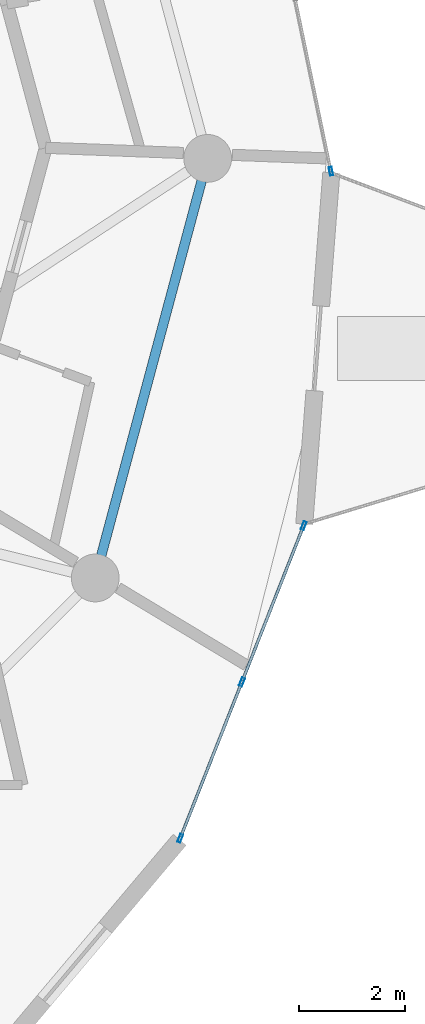
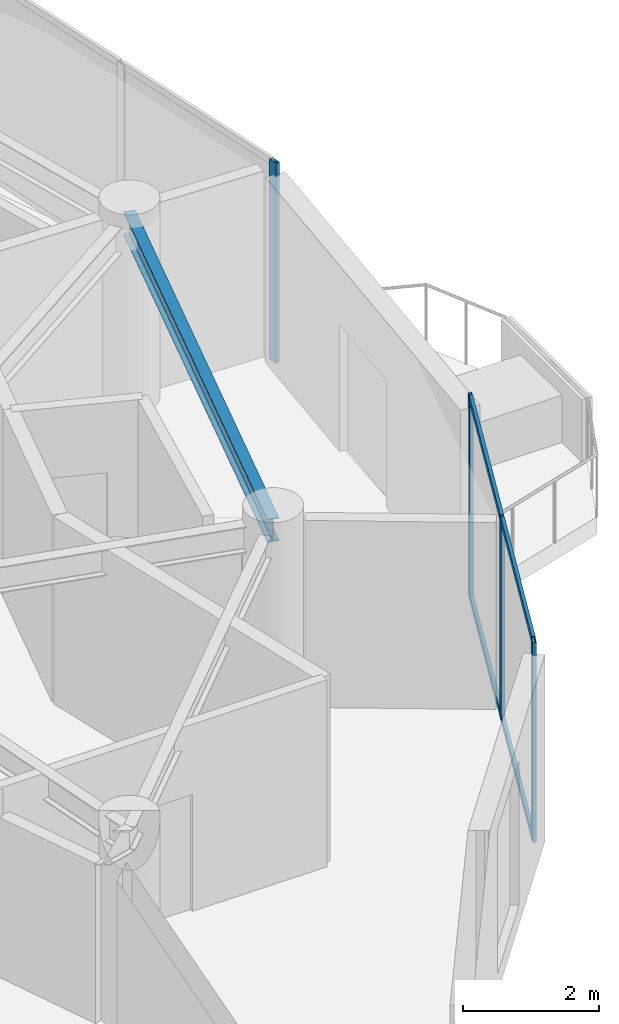
# One storey, part 11 of 21: 8 members, 1 beam, 2 elements without a shape of their own.
"""IFC4 building model written with IfcOpenShell, lengths in metres."""

from ifc_helpers import new_model, si_unit, direction, frame, origin, origin_2d, place, context, subcontext, project, spatial, hollow_rectangle, i_section, extrude, source, transform, mapped, material, layer, layer_set, material_profile, profile_set, type_object, element, aggregate, save


model = new_model("IFC4")

# Units and contexts
model_context = context("Model", 3, precision=1e-05, world=origin(), true_north=direction((0.0, 1.0)))
body_context = subcontext(model_context, "Body", "Model", "MODEL_VIEW")
ifc_project = project(units=[si_unit("LENGTHUNIT", "METRE"), si_unit("AREAUNIT", "SQUARE_METRE"), si_unit("VOLUMEUNIT", "CUBIC_METRE"), si_unit("PLANEANGLEUNIT", "RADIAN"), si_unit("MASSUNIT", "GRAM", prefix="KILO")], contexts=[model_context])

# Site, building, storey
site_placement = place(None, origin())
site = spatial("IfcSite", under=ifc_project, at=site_placement, CompositionType="ELEMENT")
building_placement = place(site_placement, origin())
building = spatial("IfcBuilding", under=site, at=building_placement, Name="Solvirekh Grand Hotel", CompositionType="ELEMENT")
storey_placement = place(building_placement, frame((0.0, 0.0, 220.0)))
storey = spatial("IfcBuildingStorey", under=building, at=storey_placement, Name="L57", CompositionType="ELEMENT", Elevation=220.0)

# Beam
ifc_material_1 = material(Name="Steel S355", Category="steel")
ifc_material_profile_1 = material_profile(ifc_material_1, i_section(OverallWidth=0.180908203125, OverallDepth=0.4169921875, WebThickness=0.010009765625, FlangeThickness=0.01611328125, FilletRadius=0.011962890625, at=origin_2d()), Name="W410X85")
ifc_profile_set_1 = profile_set([ifc_material_profile_1], Name="Steel S355")
beam_type = type_object("IfcBeamType", Name="Spandrel_Ring_W410", PredefinedType="SPANDREL", material=ifc_profile_set_1)
beam_placement = place(storey_placement, frame((13.68310546875, -7.89990234375, 3.152099609375), z_axis=(0.258838541915, 0.965920601923, 0.0), x_axis=(-0.965920601923, 0.258838541915, 0.0)))
element("IfcBeam", 1, at=beam_placement, inside=storey, type_object=beam_type, Name="L57 perimeter spandrel beam 12", PredefinedType="SPANDREL", context=body_context, shape_type="SweptSolid", body=[
    extrude(i_section(OverallWidth=0.180908203125, OverallDepth=0.4169921875, WebThickness=0.010009765625, FlangeThickness=0.01611328125, FilletRadius=0.011962890625, at=origin_2d()), origin(), (0.0, 0.0, 1.0), 8.1787109375),
])

# Curtain wall, members
ifc_material_2 = material(Name="Anodized Bronze Aluminium 6063-T6", Category="aluminium")
ifc_layer = layer(ifc_material_2, 0.159912109375)
ifc_layer_set = layer_set([ifc_layer], Name="Anodized Bronze Aluminium 6063-T6")
curtain_wall_type = type_object("IfcCurtainWallType", Name="CW_Sys4_HighZoneFlushBronzeCW", PredefinedType="NOTDEFINED", material=ifc_layer_set)
curtain_wall_1_placement = place(storey_placement, origin())
curtain_wall_1 = element("IfcCurtainWall", 2, at=curtain_wall_1_placement, inside=storey, type_object=curtain_wall_type, Name="L57 unitised bronze-glass curtain wall CW-L57-C03", PredefinedType="NOTDEFINED")
ifc_material_profile_2 = material_profile(ifc_material_2, hollow_rectangle(XDim=0.06005859375, YDim=0.159912109375, WallThickness=0.0048828125, at=origin_2d()), Name="ALU RHS 160X60X5")
ifc_profile_set_2 = profile_set([ifc_material_profile_2], Name="Anodized Bronze Aluminium 6063-T6")
member_type_1 = type_object("IfcMemberType", Name="CWMullion_Sys4", PredefinedType="MULLION", material=ifc_profile_set_2)
shared_shape_1 = source(origin(), body_context, "Body", "SweptSolid", [
    extrude(hollow_rectangle(XDim=0.06005859375, YDim=0.159912109375, WallThickness=0.0048828125, at=origin_2d()), origin(), (0.0, 0.0, 1.0), 3.60009765625),
])
member_1_placement = place(storey_placement, frame((15.283935546875, -12.802001953125, 0.0), z_axis=(0.0, 0.0, 1.0), x_axis=(-0.930151001354, 0.367177225165, 0.0)))
member_1 = element("IfcMember", 3, at=member_1_placement, type_object=member_type_1, Name="U04 mullion 1", PredefinedType="MULLION", context=body_context, shape_type="MappedRepresentation", body=[
    mapped(shared_shape_1, transform((0.0, 0.0, 0.0), x_axis=(1.0, 0.0, 0.0), y_axis=(0.0, 1.0, 0.0), z_axis=(0.0, 0.0, 1.0), scale=1.0)),
])
member_2_placement = place(storey_placement, frame((16.446044921875, -9.8583984375, 0.0), z_axis=(0.0, 0.0, 1.0), x_axis=(-0.930151001354, 0.367177225165, 0.0)))
member_2 = element("IfcMember", 4, at=member_2_placement, type_object=member_type_1, Name="U04 mullion 2", PredefinedType="MULLION", context=body_context, shape_type="MappedRepresentation", body=[
    mapped(shared_shape_1, transform((0.0, 0.0, 0.0), x_axis=(1.0, 0.0, 0.0), y_axis=(0.0, 1.0, 0.0), z_axis=(0.0, 0.0, 1.0), scale=1.0)),
])
member_3_placement = place(storey_placement, frame((17.60791015625, -6.914794921875, 0.0), z_axis=(0.0, 0.0, 1.0), x_axis=(-0.930151001354, 0.367177225165, 0.0)))
member_3 = element("IfcMember", 5, at=member_3_placement, type_object=member_type_1, Name="U04 mullion 3", PredefinedType="MULLION", context=body_context, shape_type="MappedRepresentation", body=[
    mapped(shared_shape_1, transform((0.0, 0.0, 0.0), x_axis=(1.0, 0.0, 0.0), y_axis=(0.0, 1.0, 0.0), z_axis=(0.0, 0.0, 1.0), scale=1.0)),
])

# Curtain wall, member
curtain_wall_2_placement = place(storey_placement, origin())
curtain_wall_2 = element("IfcCurtainWall", 6, at=curtain_wall_2_placement, inside=storey, type_object=curtain_wall_type, Name="L57 unitised bronze-glass curtain wall CW-L57-C05", PredefinedType="NOTDEFINED")
member_4_placement = place(storey_placement, frame((18.121826171875, -0.24072265625, 0.0), z_axis=(0.0, 0.0, 1.0), x_axis=(-0.979132177626, -0.203224454082, 0.0)))
member_4 = element("IfcMember", 7, at=member_4_placement, type_object=member_type_1, Name="U04 mullion 1", PredefinedType="MULLION", context=body_context, shape_type="MappedRepresentation", body=[
    mapped(shared_shape_1, transform((0.0, 0.0, 0.0), x_axis=(1.0, 0.0, 0.0), y_axis=(0.0, 1.0, 0.0), z_axis=(0.0, 0.0, 1.0), scale=1.0)),
])
aggregate(curtain_wall_2, [member_4])

# Member
ifc_material_profile_3 = material_profile(ifc_material_2, hollow_rectangle(XDim=0.054931640625, YDim=0.1201171875, WallThickness=0.00390625, at=origin_2d()), Name="ALU RHS 120X55X4")
ifc_profile_set_3 = profile_set([ifc_material_profile_3], Name="Anodized Bronze Aluminium 6063-T6")
member_type_2 = type_object("IfcMemberType", Name="CWTransom_Sys4", PredefinedType="USERDEFINED", material=ifc_profile_set_3)
shared_shape_2 = source(origin(), body_context, "Body", "SweptSolid", [
    extrude(hollow_rectangle(XDim=0.054931640625, YDim=0.1201171875, WallThickness=0.00390625, at=origin_2d()), origin(), (0.0, 0.0, 1.0), 3.1044921875),
])
member_5_placement = place(storey_placement, frame((16.45703125, -9.83056640625, 0.027587890625), z_axis=(0.367170115704, 0.930153807784, 0.0), x_axis=(-0.930153807784, 0.367170115704, 0.0)))
member_5 = element("IfcMember", 8, at=member_5_placement, type_object=member_type_2, Name="U04 transom 2.1", ObjectType="TRANSOM", PredefinedType="USERDEFINED", context=body_context, shape_type="MappedRepresentation", body=[
    mapped(shared_shape_2, transform((0.0, 0.0, 0.0), x_axis=(1.0, 0.0, 0.0), y_axis=(0.0, 1.0, 0.0), z_axis=(0.0, 0.0, 1.0), scale=1.0)),
])

member_6_placement = place(storey_placement, frame((16.45703125, -9.83056640625, 3.572509765625), z_axis=(0.367170115704, 0.930153807784, 0.0), x_axis=(-0.930153807784, 0.367170115704, 0.0)))
member_6 = element("IfcMember", 9, at=member_6_placement, type_object=member_type_2, Name="U04 transom 2.2", ObjectType="TRANSOM", PredefinedType="USERDEFINED", context=body_context, shape_type="MappedRepresentation", body=[
    mapped(shared_shape_2, transform((0.0, 0.0, 0.0), x_axis=(1.0, 0.0, 0.0), y_axis=(0.0, 1.0, 0.0), z_axis=(0.0, 0.0, 1.0), scale=1.0)),
])

shared_shape_3 = source(origin(), body_context, "Body", "SweptSolid", [
    extrude(hollow_rectangle(XDim=0.054931640625, YDim=0.1201171875, WallThickness=0.00390625, at=origin_2d()), origin(), (0.0, 0.0, 1.0), 3.104736328125),
])
member_7_placement = place(storey_placement, frame((15.294921875, -12.774169921875, 0.027587890625), z_axis=(0.367238150984, 0.930126948573, 0.0), x_axis=(-0.930126948573, 0.367238150984, 0.0)))
member_7 = element("IfcMember", 10, at=member_7_placement, type_object=member_type_2, Name="U04 transom 1.1", ObjectType="TRANSOM", PredefinedType="USERDEFINED", context=body_context, shape_type="MappedRepresentation", body=[
    mapped(shared_shape_3, transform((0.0, 0.0, 0.0), x_axis=(1.0, 0.0, 0.0), y_axis=(0.0, 1.0, 0.0), z_axis=(0.0, 0.0, 1.0), scale=1.0)),
])

member_8_placement = place(storey_placement, frame((15.294921875, -12.774169921875, 3.572509765625), z_axis=(0.367238150984, 0.930126948573, 0.0), x_axis=(-0.930126948573, 0.367238150984, 0.0)))
member_8 = element("IfcMember", 11, at=member_8_placement, type_object=member_type_2, Name="U04 transom 1.2", ObjectType="TRANSOM", PredefinedType="USERDEFINED", context=body_context, shape_type="MappedRepresentation", body=[
    mapped(shared_shape_3, transform((0.0, 0.0, 0.0), x_axis=(1.0, 0.0, 0.0), y_axis=(0.0, 1.0, 0.0), z_axis=(0.0, 0.0, 1.0), scale=1.0)),
])

aggregate(curtain_wall_1, [member_1, member_2, member_3, member_7, member_8, member_5, member_6])

save(model, "model.ifc")
